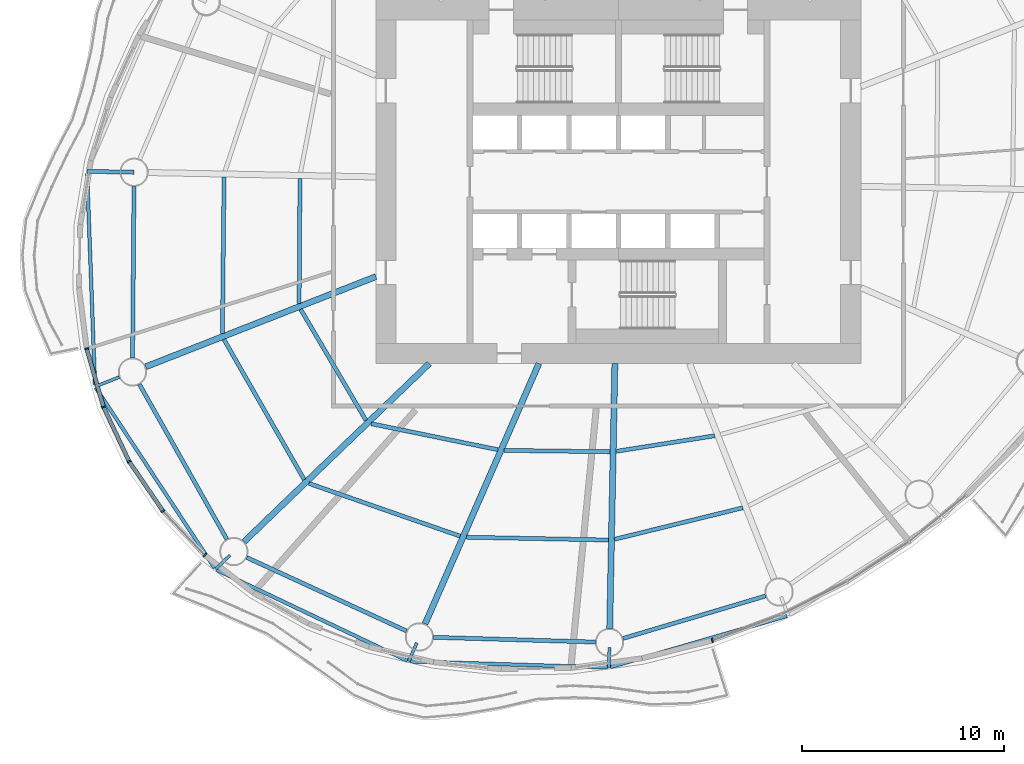
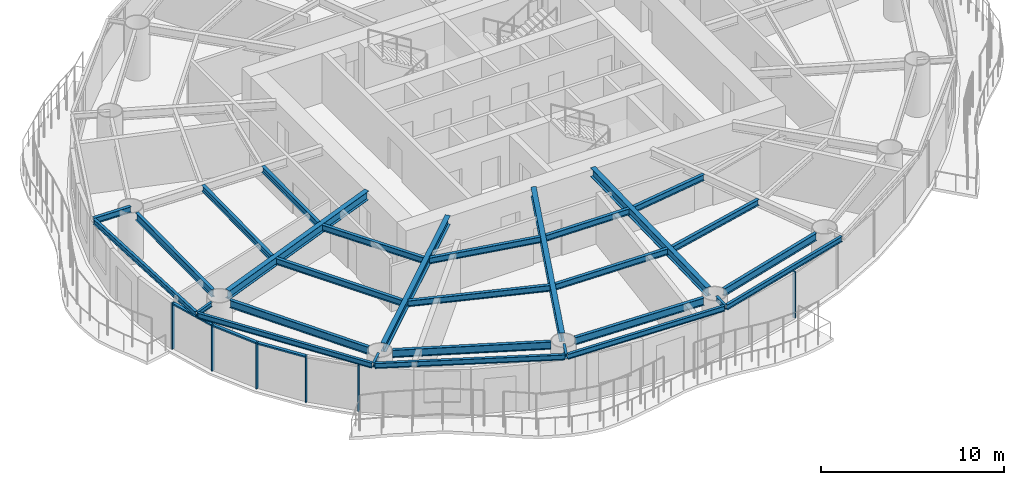
# One storey, part 2 of 15: 29 beams, 9 members, 5 elements without a shape of their own.
"""IFC4 building model written with IfcOpenShell, lengths in metres."""

from ifc_helpers import new_model, si_unit, direction, frame, origin, origin_2d, place, context, subcontext, project, spatial, rectangle, i_section, extrude, material, material_profile, profile_set, type_object, element, aggregate, save


model = new_model("IFC4")

# Units and contexts
model_context = context("Model", 3, precision=1e-05, world=origin(), true_north=direction((0.0, 1.0)))
body_context = subcontext(model_context, "Body", "Model", "MODEL_VIEW")
ifc_project = project(units=[si_unit("LENGTHUNIT", "METRE"), si_unit("AREAUNIT", "SQUARE_METRE"), si_unit("VOLUMEUNIT", "CUBIC_METRE"), si_unit("PLANEANGLEUNIT", "RADIAN"), si_unit("MASSUNIT", "GRAM", prefix="KILO")], contexts=[model_context])

# Site, building, storey
site_placement = place(None, origin())
site = spatial("IfcSite", under=ifc_project, at=site_placement, CompositionType="ELEMENT")
building_placement = place(site_placement, origin())
building = spatial("IfcBuilding", under=site, at=building_placement, Name="Vermilion Reach Broadcast Tower", CompositionType="ELEMENT")
storey_placement = place(building_placement, frame((0.0, 0.0, 154.199951171875)))
storey = spatial("IfcBuildingStorey", under=building, at=storey_placement, Name="L36", CompositionType="ELEMENT", Elevation=154.199951171875)

# Beams
ifc_material_1 = material(Name="Steel S355J2", Category="steel")
ifc_material_profile_1 = material_profile(ifc_material_1, i_section(OverallWidth=0.175048828125, OverallDepth=0.35009765625, WebThickness=0.007080078125, FlangeThickness=0.010986328125, at=origin_2d()), Name="S355J2 HN 350x175x7x11")
ifc_profile_set_1 = profile_set([ifc_material_profile_1], Name="Steel S355J2")
beam_type_1 = type_object("IfcBeamType", Name="EB3 HN 350x175x7x11", PredefinedType="BEAM", material=ifc_profile_set_1)
beam_1_placement = place(storey_placement, frame((-32.28515625, 0.4091796875, 3.275146484375), z_axis=(0.037443412855, -0.999298749541, 0.0), x_axis=(0.999298749541, 0.037443412855, 0.0)))
element("IfcBeam", 1, at=beam_1_placement, inside=storey, type_object=beam_type_1, Name="Edge beam EB3-07", PredefinedType="BEAM", context=body_context, shape_type="SweptSolid", body=[
    extrude(i_section(OverallWidth=0.175048828125, OverallDepth=0.35009765625, WebThickness=0.007080078125, FlangeThickness=0.010986328125, at=origin_2d()), origin(), (0.0, 0.0, 1.0), 10.47802734375),
])
beam_2_placement = place(storey_placement, frame((-31.84765625, -10.204833984375, 3.275146484375), z_axis=(0.549901814271, -0.835229306634, 0.0), x_axis=(0.835229306634, 0.549901814271, 0.0)))
element("IfcBeam", 2, at=beam_2_placement, inside=storey, type_object=beam_type_1, Name="Edge beam EB3-08", PredefinedType="BEAM", context=body_context, shape_type="SweptSolid", body=[
    extrude(i_section(OverallWidth=0.175048828125, OverallDepth=0.35009765625, WebThickness=0.007080078125, FlangeThickness=0.010986328125, at=origin_2d()), origin(), (0.0, 0.0, 1.0), 10.669921875),
])
beam_3_placement = place(storey_placement, frame((-25.865966796875, -19.21484375, 3.275146484375), z_axis=(0.902882567486, -0.429887275144, 0.0), x_axis=(0.429887275144, 0.902882567486, 0.0)))
element("IfcBeam", 3, at=beam_3_placement, inside=storey, type_object=beam_type_1, Name="Edge beam EB3-09", PredefinedType="BEAM", context=body_context, shape_type="SweptSolid", body=[
    extrude(i_section(OverallWidth=0.175048828125, OverallDepth=0.35009765625, WebThickness=0.007080078125, FlangeThickness=0.010986328125, at=origin_2d()), origin(), (0.0, 0.0, 1.0), 10.437744140625),
])
beam_4_placement = place(storey_placement, frame((-16.293212890625, -23.736572265625, 3.275146484375), z_axis=(0.999528582881, -0.030701986962, 0.0), x_axis=(0.030701986962, 0.999528582881, 0.0)))
element("IfcBeam", 4, at=beam_4_placement, inside=storey, type_object=beam_type_1, Name="Edge beam EB3-10", PredefinedType="BEAM", context=body_context, shape_type="SweptSolid", body=[
    extrude(i_section(OverallWidth=0.175048828125, OverallDepth=0.35009765625, WebThickness=0.007080078125, FlangeThickness=0.010986328125, at=origin_2d()), origin(), (0.0, 0.0, 1.0), 9.757080078125),
])
beam_5_placement = place(storey_placement, frame((-6.390380859375, -24.0166015625, 3.275146484375), z_axis=(0.960595798955, 0.277949115902, 0.0), x_axis=(-0.277949115902, 0.960595798955, 0.0)))
element("IfcBeam", 5, at=beam_5_placement, inside=storey, type_object=beam_type_1, Name="Edge beam EB3-11", PredefinedType="BEAM", context=body_context, shape_type="SweptSolid", body=[
    extrude(i_section(OverallWidth=0.175048828125, OverallDepth=0.35009765625, WebThickness=0.007080078125, FlangeThickness=0.010986328125, at=origin_2d()), origin(), (0.0, 0.0, 1.0), 9.085693359375),
])
ifc_material_2 = material(Name="Steel S355J2", Category="steel")
ifc_material_profile_2 = material_profile(ifc_material_2, i_section(OverallWidth=0.300048828125, OverallDepth=0.587890625, WebThickness=0.011962890625, FlangeThickness=0.02001953125, at=origin_2d()), Name="S355J2 HM 588x300x12x20")
ifc_profile_set_2 = profile_set([ifc_material_profile_2], Name="Steel S355J2")
beam_type_2 = type_object("IfcBeamType", Name="G3 HM 588x300x12x20", PredefinedType="BEAM", material=ifc_profile_set_2)
beam_6_placement = place(storey_placement, frame((-18.0, -4.700439453125, 3.156005859375), z_axis=(-0.931124635714, -0.364701128004, 0.0), x_axis=(0.364701128004, -0.931124635714, 0.0)))
element("IfcBeam", 6, at=beam_6_placement, inside=storey, type_object=beam_type_2, Name="Girder G3-08", PredefinedType="BEAM", context=body_context, shape_type="SweptSolid", body=[
    extrude(i_section(OverallWidth=0.300048828125, OverallDepth=0.587890625, WebThickness=0.011962890625, FlangeThickness=0.02001953125, at=origin_2d()), origin(), (0.0, 0.0, 1.0), 12.231201171875),
])
beam_7_placement = place(storey_placement, frame((-15.355712890625, -9.0, 3.156005859375), z_axis=(-0.720670374476, -0.693277874559, 0.0), x_axis=(0.693277874559, -0.720670374476, 0.0)))
element("IfcBeam", 7, at=beam_7_placement, inside=storey, type_object=beam_type_2, Name="Girder G3-09", PredefinedType="BEAM", context=body_context, shape_type="SweptSolid", body=[
    extrude(i_section(OverallWidth=0.300048828125, OverallDepth=0.587890625, WebThickness=0.011962890625, FlangeThickness=0.02001953125, at=origin_2d()), origin(), (0.0, 0.0, 1.0), 12.718505859375),
])
beam_8_placement = place(storey_placement, frame((-9.933837890625, -9.0, 3.156005859375), z_axis=(-0.400519113205, -0.916288404356, 0.0), x_axis=(0.916288404356, -0.400519113205, 0.0)))
element("IfcBeam", 8, at=beam_8_placement, inside=storey, type_object=beam_type_2, Name="Girder G3-10", PredefinedType="BEAM", context=body_context, shape_type="SweptSolid", body=[
    extrude(i_section(OverallWidth=0.300048828125, OverallDepth=0.587890625, WebThickness=0.011962890625, FlangeThickness=0.02001953125, at=origin_2d()), origin(), (0.0, 0.0, 1.0), 14.0595703125),
])
beam_9_placement = place(storey_placement, frame((-6.17431640625, -9.0, 3.156005859375), z_axis=(-0.019378372481, -0.99981222171, 0.0), x_axis=(0.99981222171, -0.019378372481, 0.0)))
element("IfcBeam", 9, at=beam_9_placement, inside=storey, type_object=beam_type_2, Name="Girder G3-11", PredefinedType="BEAM", context=body_context, shape_type="SweptSolid", body=[
    extrude(i_section(OverallWidth=0.300048828125, OverallDepth=0.587890625, WebThickness=0.011962890625, FlangeThickness=0.02001953125, at=origin_2d()), origin(), (0.0, 0.0, 1.0), 13.1025390625),
])
ifc_material_3 = material(Name="Steel S355J2", Category="steel")
ifc_material_profile_3 = material_profile(ifc_material_3, i_section(OverallWidth=0.199951171875, OverallDepth=0.39990234375, WebThickness=0.008056640625, FlangeThickness=0.012939453125, at=origin_2d()), Name="S355J2 HN 400x200x8x13")
ifc_profile_set_3 = profile_set([ifc_material_profile_3], Name="Steel S355J2")
beam_type_3 = type_object("IfcBeamType", Name="GC3 HN 400x200x8x13", PredefinedType="BEAM", material=ifc_profile_set_3)
beam_10_placement = place(storey_placement, frame((-29.95947265625, 0.464111328125, 3.25), z_axis=(-0.999812106299, 0.019384326102, 0.0), x_axis=(-0.019384326102, -0.999812106299, 0.0)))
element("IfcBeam", 10, at=beam_10_placement, inside=storey, type_object=beam_type_3, Name="Cantilever girder GC3-07", PredefinedType="BEAM", context=body_context, shape_type="SweptSolid", body=[
    extrude(i_section(OverallWidth=0.199951171875, OverallDepth=0.39990234375, WebThickness=0.008056640625, FlangeThickness=0.012939453125, at=origin_2d()), origin(), (0.0, 0.0, 1.0), 2.330078125),
])
ifc_material_4 = material(Name="Steel S355J2", Category="steel")
ifc_material_profile_4 = material_profile(ifc_material_4, i_section(OverallWidth=0.14990234375, OverallDepth=0.300048828125, WebThickness=0.006591796875, FlangeThickness=0.009033203125, at=origin_2d()), Name="S355J2 HN 300x150x6.5x9")
ifc_profile_set_4 = profile_set([ifc_material_profile_4], Name="Steel S355J2")
beam_type_4 = type_object("IfcBeamType", Name="GS3 HN 300x150x6.5x9", PredefinedType="BEAM", material=ifc_profile_set_4)
beam_11_placement = place(storey_placement, frame((-30.6923828125, -9.671875, 3.300048828125), z_axis=(-0.931111056585, -0.364735795208, 0.0), x_axis=(0.364735795208, -0.931111056585, 0.0)))
element("IfcBeam", 11, at=beam_11_placement, inside=storey, type_object=beam_type_4, Name="Cantilever stub GS3-08", PredefinedType="BEAM", context=body_context, shape_type="SweptSolid", body=[
    extrude(i_section(OverallWidth=0.14990234375, OverallDepth=0.300048828125, WebThickness=0.006591796875, FlangeThickness=0.009033203125, at=origin_2d()), origin(), (0.0, 0.0, 1.0), 1.285888671875),
])
for number, where, z_axis, x_axis, name in (
    (12, (-25.217529296875, -18.487060546875, 3.300048828125), (-0.720645397388, -0.693303837595, 0.0), (0.693303837595, -0.720645397388, 0.0), "Cantilever stub GS3-09"),
    (13, (-15.9736328125, -22.81787109375, 3.300048828125), (-0.400421736837, -0.916330962408, 0.0), (0.916330962408, -0.400421736837, 0.0), "Cantilever stub GS3-10"),
    (14, (-6.4462890625, -23.038818359375, 3.300048828125), (-0.019532292583, -0.999809226576, 0.0), (0.999809226576, -0.019532292583, 0.0), "Cantilever stub GS3-11"),
):
    element("IfcBeam", number, at=place(storey_placement, frame(where, z_axis=z_axis, x_axis=x_axis)), inside=storey, type_object=beam_type_4, Name=name, PredefinedType="BEAM", context=body_context, shape_type="SweptSolid", body=[
        extrude(i_section(OverallWidth=0.14990234375, OverallDepth=0.300048828125, WebThickness=0.006591796875, FlangeThickness=0.009033203125, at=origin_2d()), origin(), (0.0, 0.0, 1.0), 1.0),
    ])
ifc_material_5 = material(Name="Steel S355J2", Category="steel")
ifc_material_profile_5 = material_profile(ifc_material_5, i_section(OverallWidth=0.199951171875, OverallDepth=0.5, WebThickness=0.010009765625, FlangeThickness=0.01611328125, at=origin_2d()), Name="S355J2 HN 500x200x10x16")
ifc_profile_set_5 = profile_set([ifc_material_profile_5], Name="Steel S355J2")
beam_type_5 = type_object("IfcBeamType", Name="RB3 HN 500x200x10x16", PredefinedType="BEAM", material=ifc_profile_set_5)
beam_12_placement = place(storey_placement, frame((-29.965087890625, -0.23583984375, 3.199951171875), z_axis=(-0.008204232036, -0.999966344722, 0.0), x_axis=(0.999966344722, -0.008204232036, 0.0)))
element("IfcBeam", 15, at=beam_12_placement, inside=storey, type_object=beam_type_5, Name="Ring beam RB3-07", PredefinedType="BEAM", context=body_context, shape_type="SweptSolid", body=[
    extrude(i_section(OverallWidth=0.199951171875, OverallDepth=0.5, WebThickness=0.010009765625, FlangeThickness=0.01611328125, at=origin_2d()), origin(), (0.0, 0.0, 1.0), 8.48095703125),
])
beam_13_placement = place(storey_placement, frame((-29.696533203125, -10.026123046875, 3.199951171875), z_axis=(0.491466825026, -0.870896296869, 0.0), x_axis=(0.870896296869, 0.491466825026, 0.0)))
element("IfcBeam", 16, at=beam_13_placement, inside=storey, type_object=beam_type_5, Name="Ring beam RB3-08", PredefinedType="BEAM", context=body_context, shape_type="SweptSolid", body=[
    extrude(i_section(OverallWidth=0.199951171875, OverallDepth=0.5, WebThickness=0.010009765625, FlangeThickness=0.01611328125, at=origin_2d()), origin(), (0.0, 0.0, 1.0), 8.803466796875),
])
beam_14_placement = place(storey_placement, frame((-24.389892578125, -18.594970703125, 3.199951171875), z_axis=(0.908546241769, -0.417784306272, 0.0), x_axis=(0.417784306272, 0.908546241769, 0.0)))
element("IfcBeam", 17, at=beam_14_placement, inside=storey, type_object=beam_type_5, Name="Ring beam RB3-09", PredefinedType="BEAM", context=body_context, shape_type="SweptSolid", body=[
    extrude(i_section(OverallWidth=0.199951171875, OverallDepth=0.5, WebThickness=0.010009765625, FlangeThickness=0.01611328125, at=origin_2d()), origin(), (0.0, 0.0, 1.0), 8.704833984375),
])
beam_15_placement = place(storey_placement, frame((-15.1455078125, -22.544677734375, 3.199951171875), z_axis=(0.999569781146, -0.029330063427, 0.0), x_axis=(0.029330063427, 0.999569781146, 0.0)))
element("IfcBeam", 18, at=beam_15_placement, inside=storey, type_object=beam_type_5, Name="Ring beam RB3-10", PredefinedType="BEAM", context=body_context, shape_type="SweptSolid", body=[
    extrude(i_section(OverallWidth=0.199951171875, OverallDepth=0.5, WebThickness=0.010009765625, FlangeThickness=0.01611328125, at=origin_2d()), origin(), (0.0, 0.0, 1.0), 8.007568359375),
])
beam_16_placement = place(storey_placement, frame((-5.770751953125, -22.60009765625, 3.199951171875), z_axis=(0.958416970322, 0.285371531516, 0.0), x_axis=(-0.285371531516, 0.958416970322, 0.0)))
element("IfcBeam", 19, at=beam_16_placement, inside=storey, type_object=beam_type_5, Name="Ring beam RB3-11", PredefinedType="BEAM", context=body_context, shape_type="SweptSolid", body=[
    extrude(i_section(OverallWidth=0.199951171875, OverallDepth=0.5, WebThickness=0.010009765625, FlangeThickness=0.01611328125, at=origin_2d()), origin(), (0.0, 0.0, 1.0), 7.357421875),
])
ifc_material_6 = material(Name="Steel S355J2", Category="steel")
ifc_material_profile_6 = material_profile(ifc_material_6, i_section(OverallWidth=0.199951171875, OverallDepth=0.39990234375, WebThickness=0.008056640625, FlangeThickness=0.012939453125, at=origin_2d()), Name="S355J2 HN 400x200x8x13")
ifc_profile_set_6 = profile_set([ifc_material_profile_6], Name="Steel S355J2")
beam_type_6 = type_object("IfcBeamType", Name="SB3 HN 400x200x8x13", PredefinedType="BEAM", material=ifc_profile_set_6)
beam_17_placement = place(storey_placement, frame((-21.754150390625, 0.1552734375, 3.25), z_axis=(-0.006635449147, -0.999977985165, 0.0), x_axis=(0.999977985165, -0.006635449147, 0.0)))
element("IfcBeam", 20, at=beam_17_placement, inside=storey, type_object=beam_type_6, Name="Secondary beam SB3-07-1", PredefinedType="BEAM", context=body_context, shape_type="SweptSolid", body=[
    extrude(i_section(OverallWidth=0.199951171875, OverallDepth=0.39990234375, WebThickness=0.008056640625, FlangeThickness=0.012939453125, at=origin_2d()), origin(), (0.0, 0.0, 1.0), 6.181396484375),
])
beam_18_placement = place(storey_placement, frame((-25.508056640625, 0.22802734375, 3.25), z_axis=(-0.010691708672, -0.999942842049, 0.0), x_axis=(0.999942842049, -0.010691708672, 0.0)))
element("IfcBeam", 21, at=beam_18_placement, inside=storey, type_object=beam_type_6, Name="Secondary beam SB3-07-2", PredefinedType="BEAM", context=body_context, shape_type="SweptSolid", body=[
    extrude(i_section(OverallWidth=0.199951171875, OverallDepth=0.39990234375, WebThickness=0.008056640625, FlangeThickness=0.012939453125, at=origin_2d()), origin(), (0.0, 0.0, 1.0), 7.740966796875),
])
beam_19_placement = place(storey_placement, frame((-21.71923828125, -6.318115234375, 3.25), z_axis=(0.507249643612, -0.861799163991, 0.0), x_axis=(0.861799163991, 0.507249643612, 0.0)))
element("IfcBeam", 22, at=beam_19_placement, inside=storey, type_object=beam_type_6, Name="Secondary beam SB3-08-1", PredefinedType="BEAM", context=body_context, shape_type="SweptSolid", body=[
    extrude(i_section(OverallWidth=0.199951171875, OverallDepth=0.39990234375, WebThickness=0.008056640625, FlangeThickness=0.012939453125, at=origin_2d()), origin(), (0.0, 0.0, 1.0), 6.3681640625),
])
beam_20_placement = place(storey_placement, frame((-25.51708984375, -7.805908203125, 3.25), z_axis=(0.497026503115, -0.867735360119, 0.0), x_axis=(0.867735360119, 0.497026503115, 0.0)))
element("IfcBeam", 23, at=beam_20_placement, inside=storey, type_object=beam_type_6, Name="Secondary beam SB3-08-2", PredefinedType="BEAM", context=body_context, shape_type="SweptSolid", body=[
    extrude(i_section(OverallWidth=0.199951171875, OverallDepth=0.39990234375, WebThickness=0.008056640625, FlangeThickness=0.012939453125, at=origin_2d()), origin(), (0.0, 0.0, 1.0), 7.995849609375),
])
beam_21_placement = place(storey_placement, frame((-18.232666015625, -11.975830078125, 3.25), z_axis=(0.97956765607, -0.201114910391, 0.0), x_axis=(0.201114910391, 0.97956765607, 0.0)))
element("IfcBeam", 24, at=beam_21_placement, inside=storey, type_object=beam_type_6, Name="Secondary beam SB3-09-1", PredefinedType="BEAM", context=body_context, shape_type="SweptSolid", body=[
    extrude(i_section(OverallWidth=0.199951171875, OverallDepth=0.39990234375, WebThickness=0.008056640625, FlangeThickness=0.012939453125, at=origin_2d()), origin(), (0.0, 0.0, 1.0), 6.40234375),
])
beam_22_placement = place(storey_placement, frame((-21.307373046875, -14.93359375, 3.25), z_axis=(0.94431696779, -0.329037177754, 0.0), x_axis=(0.329037177754, 0.94431696779, 0.0)))
element("IfcBeam", 25, at=beam_22_placement, inside=storey, type_object=beam_type_6, Name="Secondary beam SB3-09-2", PredefinedType="BEAM", context=body_context, shape_type="SweptSolid", body=[
    extrude(i_section(OverallWidth=0.199951171875, OverallDepth=0.39990234375, WebThickness=0.008056640625, FlangeThickness=0.012939453125, at=origin_2d()), origin(), (0.0, 0.0, 1.0), 7.91845703125),
])
beam_23_placement = place(storey_placement, frame((-11.648193359375, -13.29638671875, 3.25), z_axis=(0.999914891843, -0.013046419838, 0.0), x_axis=(0.013046419838, 0.999914891843, 0.0)))
element("IfcBeam", 26, at=beam_23_placement, inside=storey, type_object=beam_type_6, Name="Secondary beam SB3-10-1", PredefinedType="BEAM", context=body_context, shape_type="SweptSolid", body=[
    extrude(i_section(OverallWidth=0.199951171875, OverallDepth=0.39990234375, WebThickness=0.008056640625, FlangeThickness=0.012939453125, at=origin_2d()), origin(), (0.0, 0.0, 1.0), 5.23974609375),
])
beam_24_placement = place(storey_placement, frame((-13.525634765625, -17.591552734375, 3.25), z_axis=(0.999804929321, -0.019751033045, 0.0), x_axis=(0.019751033045, 0.999804929321, 0.0)))
element("IfcBeam", 27, at=beam_24_placement, inside=storey, type_object=beam_type_6, Name="Secondary beam SB3-10-2", PredefinedType="BEAM", context=body_context, shape_type="SweptSolid", body=[
    extrude(i_section(OverallWidth=0.199951171875, OverallDepth=0.39990234375, WebThickness=0.008056640625, FlangeThickness=0.012939453125, at=origin_2d()), origin(), (0.0, 0.0, 1.0), 7.033447265625),
])
beam_25_placement = place(storey_placement, frame((-6.1083984375, -13.343017578125, 3.25), z_axis=(0.987756142208, 0.15600578044, 0.0), x_axis=(-0.15600578044, 0.987756142208, 0.0)))
element("IfcBeam", 28, at=beam_25_placement, inside=storey, type_object=beam_type_6, Name="Secondary beam SB3-11-1", PredefinedType="BEAM", context=body_context, shape_type="SweptSolid", body=[
    extrude(i_section(OverallWidth=0.199951171875, OverallDepth=0.39990234375, WebThickness=0.008056640625, FlangeThickness=0.012939453125, at=origin_2d()), origin(), (0.0, 0.0, 1.0), 4.9326171875),
])
beam_26_placement = place(storey_placement, frame((-6.19287109375, -17.6962890625, 3.25), z_axis=(0.971111691931, 0.238625400566, 0.0), x_axis=(-0.238625400566, 0.971111691931, 0.0)))
element("IfcBeam", 29, at=beam_26_placement, inside=storey, type_object=beam_type_6, Name="Secondary beam SB3-11-2", PredefinedType="BEAM", context=body_context, shape_type="SweptSolid", body=[
    extrude(i_section(OverallWidth=0.199951171875, OverallDepth=0.39990234375, WebThickness=0.008056640625, FlangeThickness=0.012939453125, at=origin_2d()), origin(), (0.0, 0.0, 1.0), 6.540771484375),
])

# Curtain wall, member
ifc_material_7 = material(Name="Low-e laminated clear glass in aluminium frame", Category="aluminium")
curtain_wall_type = type_object("IfcCurtainWallType", Name="Slot curtain wall", PredefinedType="NOTDEFINED", material=ifc_material_7)
placement = place(storey_placement, origin())
curtain_wall_1 = element("IfcCurtainWall", 30, at=placement, inside=storey, type_object=curtain_wall_type, Name="Slot curtain wall L36 22", PredefinedType="NOTDEFINED")
ifc_material_8 = material(Name="Anodised aluminium", Category="aluminium")
ifc_material_profile_7 = material_profile(ifc_material_8, rectangle(XDim=0.199951171875, YDim=0.080078125, at=origin_2d()), Name="Slot mullion 80 x 200")
ifc_profile_set_7 = profile_set([ifc_material_profile_7], Name="Anodised aluminium")
member_type_1 = type_object("IfcMemberType", Name="Slot mullion 80 x 200", PredefinedType="MULLION", material=ifc_profile_set_7)
member_1_placement = place(storey_placement, frame((-32.306396484375, -8.26318359375, 0.0), z_axis=(0.0, 0.0, 1.0), x_axis=(0.979270352805, 0.202557587161, 0.0)))
member_1 = element("IfcMember", 31, at=member_1_placement, type_object=member_type_1, Name="Slot mullion L36 22", PredefinedType="MULLION", context=body_context, shape_type="SweptSolid", body=[
    extrude(rectangle(XDim=0.199951171875, YDim=0.080078125, at=origin_2d()), origin(), (0.0, 0.0, 1.0), 3.10009765625),
])

curtain_wall_2 = element("IfcCurtainWall", 32, at=placement, inside=storey, type_object=curtain_wall_type, Name="Slot curtain wall L36 23", PredefinedType="NOTDEFINED")
member_2_placement = place(storey_placement, frame((-31.47314453125, -11.147216796875, 0.0), z_axis=(0.0, 0.0, 1.0), x_axis=(0.935745259761, 0.352676634943, 0.0)))
member_2 = element("IfcMember", 33, at=member_2_placement, type_object=member_type_1, Name="Slot mullion L36 23", PredefinedType="MULLION", context=body_context, shape_type="SweptSolid", body=[
    extrude(rectangle(XDim=0.199951171875, YDim=0.080078125, at=origin_2d()), origin(), (0.0, 0.0, 1.0), 3.10009765625),
])

curtain_wall_3 = element("IfcCurtainWall", 34, at=placement, inside=storey, type_object=curtain_wall_type, Name="Slot curtain wall L36 24", PredefinedType="NOTDEFINED")
member_3_placement = place(storey_placement, frame((-30.20654296875, -13.8408203125, 0.0), z_axis=(0.0, 0.0, 1.0), x_axis=(0.868112178264, 0.496368054925, 0.0)))
member_3 = element("IfcMember", 35, at=member_3_placement, type_object=member_type_1, Name="Slot mullion L36 24", PredefinedType="MULLION", context=body_context, shape_type="SweptSolid", body=[
    extrude(rectangle(XDim=0.199951171875, YDim=0.080078125, at=origin_2d()), origin(), (0.0, 0.0, 1.0), 3.10009765625),
])

# Curtain wall, members
curtain_wall_4 = element("IfcCurtainWall", 36, at=placement, inside=storey, type_object=curtain_wall_type, Name="Slot curtain wall L36 25", PredefinedType="NOTDEFINED")
member_4_placement = place(storey_placement, frame((-28.52783203125, -16.298583984375, 0.0), z_axis=(0.0, 0.0, 1.0), x_axis=(0.778584149168, 0.627540215974, 0.0)))
member_4 = element("IfcMember", 37, at=member_4_placement, type_object=member_type_1, Name="Slot mullion L36 25", PredefinedType="MULLION", context=body_context, shape_type="SweptSolid", body=[
    extrude(rectangle(XDim=0.199951171875, YDim=0.080078125, at=origin_2d()), origin(), (0.0, 0.0, 1.0), 3.10009765625),
])
member_5_placement = place(storey_placement, frame((-26.465087890625, -18.479736328125, 0.0), z_axis=(0.0, 0.0, 1.0), x_axis=(0.671288185119, 0.741196446646, 0.0)))
member_5 = element("IfcMember", 38, at=member_5_placement, type_object=member_type_1, Name="Slot mullion L36 26", PredefinedType="MULLION", context=body_context, shape_type="SweptSolid", body=[
    extrude(rectangle(XDim=0.199951171875, YDim=0.080078125, at=origin_2d()), origin(), (0.0, 0.0, 1.0), 3.10009765625),
])
aggregate(curtain_wall_4, [member_4, member_5])

# Curtain wall, member
curtain_wall_5 = element("IfcCurtainWall", 39, at=placement, inside=storey, type_object=curtain_wall_type, Name="Slot curtain wall L36 34", PredefinedType="NOTDEFINED")
member_6_placement = place(storey_placement, frame((-1.348876953125, -22.70068359375, 0.0), z_axis=(0.0, 0.0, 1.0), x_axis=(-0.298357889035, 0.954454069115, 0.0)))
member_6 = element("IfcMember", 40, at=member_6_placement, type_object=member_type_1, Name="Slot mullion L36 34", PredefinedType="MULLION", context=body_context, shape_type="SweptSolid", body=[
    extrude(rectangle(XDim=0.199951171875, YDim=0.080078125, at=origin_2d()), origin(), (0.0, 0.0, 1.0), 3.10009765625),
])
aggregate(curtain_wall_5, [member_6])

# Member
ifc_material_9 = material(Name="Anodised aluminium", Category="aluminium")
ifc_material_profile_8 = material_profile(ifc_material_9, rectangle(XDim=0.199951171875, YDim=0.10009765625, at=origin_2d()), Name="Slot transom 200 x 100")
ifc_profile_set_8 = profile_set([ifc_material_profile_8], Name="Anodised aluminium")
member_type_2 = type_object("IfcMemberType", Name="Slot transom 200 x 100", PredefinedType="USERDEFINED", material=ifc_profile_set_8)
member_7_placement = place(storey_placement, frame((-32.29541015625, -8.3017578125, 3.050048828125), z_axis=(0.277567072502, -0.960706261176, 0.0), x_axis=(0.960706261176, 0.277567072502, 0.0)))
member_7 = element("IfcMember", 41, at=member_7_placement, type_object=member_type_2, Name="Slot transom L36 22.1", ObjectType="TRANSOM", PredefinedType="USERDEFINED", context=body_context, shape_type="SweptSolid", body=[
    extrude(rectangle(XDim=0.199951171875, YDim=0.10009765625, at=origin_2d()), origin(), (0.0, 0.0, 1.0), 2.921875),
])

aggregate(curtain_wall_1, [member_1, member_7])

member_8_placement = place(storey_placement, frame((-31.456298828125, -11.18359375, 3.050048828125), z_axis=(0.425573765701, -0.904923737089, 0.0), x_axis=(0.904923737089, 0.425573765701, 0.0)))
member_8 = element("IfcMember", 42, at=member_8_placement, type_object=member_type_2, Name="Slot transom L36 23.1", ObjectType="TRANSOM", PredefinedType="USERDEFINED", context=body_context, shape_type="SweptSolid", body=[
    extrude(rectangle(XDim=0.199951171875, YDim=0.10009765625, at=origin_2d()), origin(), (0.0, 0.0, 1.0), 2.896484375),
])

aggregate(curtain_wall_2, [member_2, member_8])

member_9_placement = place(storey_placement, frame((-30.18408203125, -13.873779296875, 3.050048828125), z_axis=(0.564040150729, -0.825747363523, 0.0), x_axis=(0.825747363523, 0.564040150729, 0.0)))
member_9 = element("IfcMember", 43, at=member_9_placement, type_object=member_type_2, Name="Slot transom L36 24.1", ObjectType="TRANSOM", PredefinedType="USERDEFINED", context=body_context, shape_type="SweptSolid", body=[
    extrude(rectangle(XDim=0.199951171875, YDim=0.10009765625, at=origin_2d()), origin(), (0.0, 0.0, 1.0), 2.896484375),
])

aggregate(curtain_wall_3, [member_3, member_9])

save(model, "model.ifc")
